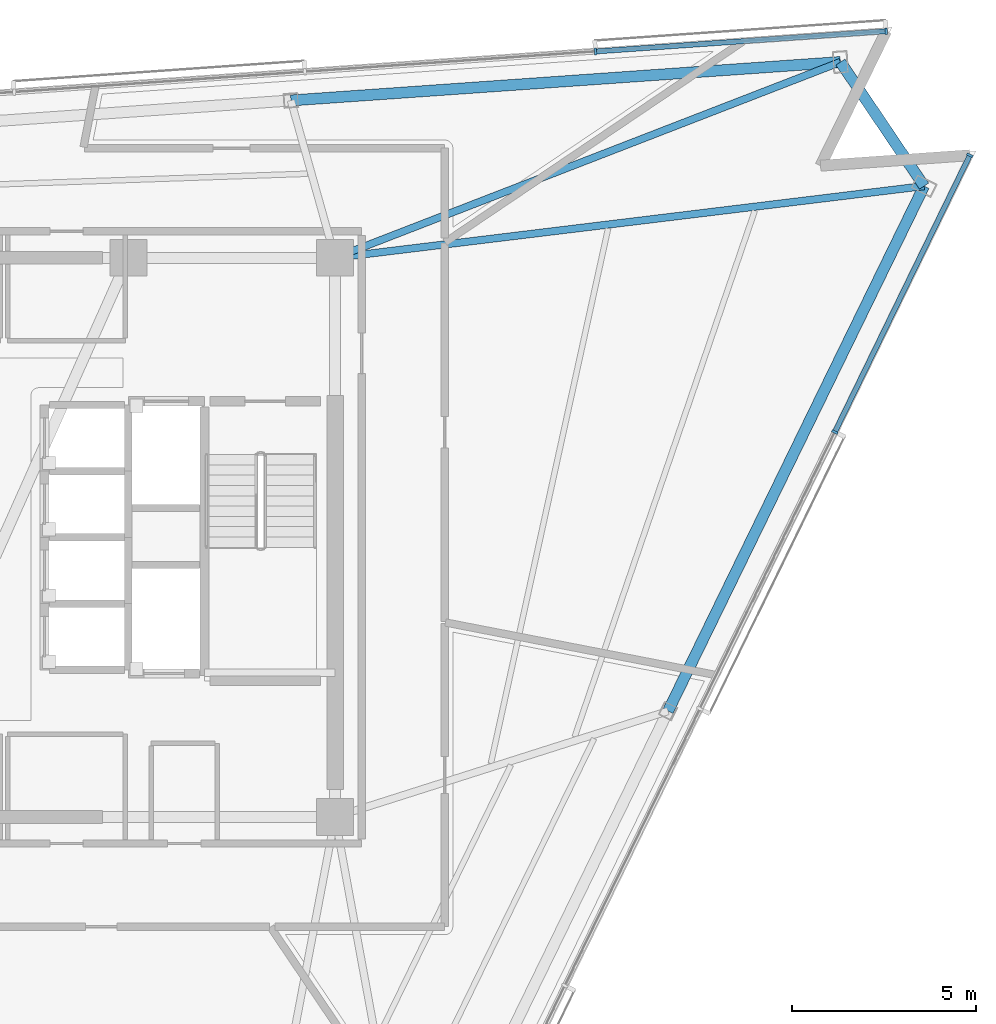
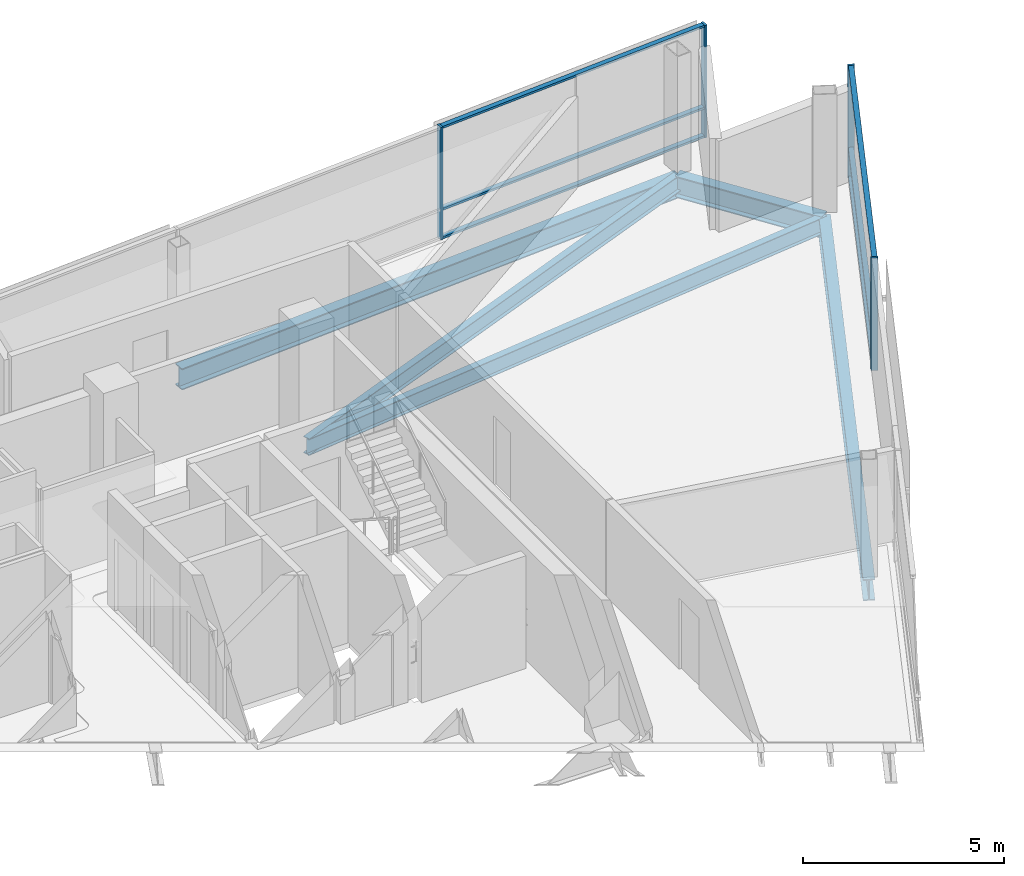
# One storey, part 7 of 16: 10 members, 5 beams, 2 elements without a shape of their own.
"""IFC4 building model written with IfcOpenShell, lengths in metres."""

import ifcopenshell
import ifcopenshell.guid

model = None  # the IFC model being written
_history = None  # IfcOwnerHistory: only IFC2X3 demands one
_inside = {}  # id of a spatial element -> (the spatial element, [elements in it])
_under = {}  # id of a project, library or spatial element -> (it, [spatial elements below it])
_declared = {}  # id of a project -> (the project, [libraries it declares])
_typed = {}  # id of a type object -> (the type object, [elements of that type])
_made_of = {}  # id of a material, layer set ... -> (it, [elements and type objects made of it])


def new_model(schema):
    """Start an empty IFC model of exactly this schema.

    Asked for "IFC4X3", IfcOpenShell would pick the latest addendum, in which some entities
    have other attributes; the version numbers below select the first issue.
    IFC2X3 requires an IfcOwnerHistory on every rooted entity: one is made here for all.
    """
    global model, _history
    if schema == "IFC4X3":
        model = ifcopenshell.file(schema_version=(4, 3, 0, 0))
    else:
        model = ifcopenshell.file(schema=schema)
    _inside.clear()
    _under.clear()
    _declared.clear()
    _typed.clear()
    _made_of.clear()
    _history = None
    if model.schema == "IFC2X3":
        org = make("IfcOrganization", Name="unknown")
        user = make(
            "IfcPersonAndOrganization",
            ThePerson=make("IfcPerson", FamilyName="unknown"),
            TheOrganization=org,
        )
        app = make(
            "IfcApplication",
            ApplicationDeveloper=org,
            Version="unknown",
            ApplicationFullName="unknown",
            ApplicationIdentifier="unknown",
        )
        _history = make(
            "IfcOwnerHistory",
            OwningUser=user,
            OwningApplication=app,
            ChangeAction="ADDED",
            CreationDate=0,
        )
    return model


def make(cls, **values):
    """One entity of the class cls with the attributes given. An attribute that is None is left unset."""
    return model.create_entity(
        cls, **{name: value for name, value in values.items() if value is not None}
    )


def rooted(cls, **values):
    """An entity with a GlobalId (a new one), such as an element, a storey or a relation."""
    return make(cls, GlobalId=ifcopenshell.guid.new(), OwnerHistory=_history, **values)


def si_unit(unit_type, name, prefix=None):
    """IfcSIUnit, for example si_unit("LENGTHUNIT", "METRE", prefix="MILLI")."""
    return make("IfcSIUnit", UnitType=unit_type, Prefix=prefix, Name=name)


def assignment(units):
    """IfcUnitAssignment: the units of a project."""
    return None if units is None else make("IfcUnitAssignment", Units=units)


def point(xyz):
    """IfcCartesianPoint."""
    return None if xyz is None else make("IfcCartesianPoint", Coordinates=xyz)


def direction(xyz):
    """IfcDirection."""
    return None if xyz is None else make("IfcDirection", DirectionRatios=xyz)


def frame(location, z_axis=None, x_axis=None):
    """IfcAxis2Placement3D, a coordinate frame: its origin and axes. An axis left out is left unset."""
    return make(
        "IfcAxis2Placement3D",
        Location=point(location),
        Axis=direction(z_axis),
        RefDirection=direction(x_axis),
    )


def frame_2d(location, x_axis=None):
    """IfcAxis2Placement2D, a coordinate frame in the plane: its origin and x axis."""
    return make(
        "IfcAxis2Placement2D", Location=point(location), RefDirection=direction(x_axis)
    )


def origin():
    """The frame at (0, 0, 0) with its axes left unset."""
    return frame((0.0, 0.0, 0.0))


def origin_2d():
    """The frame at (0, 0) in the plane with its x axis left unset."""
    return frame_2d((0.0, 0.0))


def place(relative_to, where):
    """IfcLocalPlacement: puts the frame where relative to a parent placement (None: the world)."""
    return make(
        "IfcLocalPlacement", PlacementRelTo=relative_to, RelativePlacement=where
    )


def context(
    kind, dimensions, precision=None, world=None, true_north=None, identifier=None
):
    """IfcGeometricRepresentationContext, for example the 3D "Model" context."""
    return make(
        "IfcGeometricRepresentationContext",
        ContextIdentifier=identifier,
        ContextType=kind,
        CoordinateSpaceDimension=dimensions,
        Precision=precision,
        WorldCoordinateSystem=world,
        TrueNorth=true_north,
    )


def subcontext(parent, identifier, kind, view, scale=None):
    """IfcGeometricRepresentationSubContext, for example "Body" below "Model"."""
    return make(
        "IfcGeometricRepresentationSubContext",
        ContextIdentifier=identifier,
        ContextType=kind,
        ParentContext=parent,
        TargetScale=scale,
        TargetView=view,
    )


def project(units=None, contexts=None):
    """IfcProject with its units and contexts."""
    return rooted(
        "IfcProject",
        Name="project",
        RepresentationContexts=contexts,
        UnitsInContext=assignment(units),
    )


def spatial(cls, under=None, at=None, **own):
    """A site, building, storey or space (cls), placed at a placement, below another one or the project."""
    s = rooted(cls, ObjectPlacement=at, **own)
    if under is not None:
        _under.setdefault(under.id(), (under, []))[1].append(s)
    return s


def profile(cls, at=None, kind="AREA", **sizes):
    """A parametric profile (cls). Its sizes go by their IFC names, for example OverallWidth=200.0."""
    return make(cls, ProfileType=kind, Position=at, **sizes)


def rectangle(**sizes):
    """IfcRectangleProfileDef."""
    return profile("IfcRectangleProfileDef", **sizes)


def i_section(**sizes):
    """IfcIShapeProfileDef."""
    return profile("IfcIShapeProfileDef", **sizes)


def extrude(swept, where, along, depth):
    """IfcExtrudedAreaSolid: the profile swept, set in the frame where, extruded along a direction by depth."""
    return make(
        "IfcExtrudedAreaSolid",
        SweptArea=swept,
        Position=where,
        ExtrudedDirection=direction(along),
        Depth=depth,
    )


def shape(context_of_items, identifier, shape_type, items):
    """IfcShapeRepresentation: the items that make up one representation, for example the "Body"."""
    return make(
        "IfcShapeRepresentation",
        ContextOfItems=context_of_items,
        RepresentationIdentifier=identifier,
        RepresentationType=shape_type,
        Items=items,
    )


def material(Name=None, Category=None):
    """IfcMaterial."""
    return make("IfcMaterial", Name=Name, Category=Category)


def layer(
    of_material, thickness, ventilated=None, Name=None, Category=None, Priority=None
):
    """IfcMaterialLayer: one layer of a wall or slab, of a material (None: an air gap)."""
    return make(
        "IfcMaterialLayer",
        Material=of_material,
        LayerThickness=thickness,
        IsVentilated=ventilated,
        Name=Name,
        Category=Category,
        Priority=Priority,
    )


def layer_set(layers, Name=None):
    """IfcMaterialLayerSet."""
    return make("IfcMaterialLayerSet", MaterialLayers=layers, LayerSetName=Name)


def material_profile(
    of_material, cross_section, Name=None, Category=None, Priority=None
):
    """IfcMaterialProfile: a cross section and its material."""
    return make(
        "IfcMaterialProfile",
        Name=Name,
        Material=of_material,
        Profile=cross_section,
        Priority=Priority,
        Category=Category,
    )


def profile_set(profiles, Name=None, composite=None):
    """IfcMaterialProfileSet."""
    return make(
        "IfcMaterialProfileSet",
        Name=Name,
        MaterialProfiles=profiles,
        CompositeProfile=composite,
    )


def made_of(thing, what):
    """Note that an element or type object is made of a material, layer set ...; save() writes the relation."""
    if what is not None:
        _made_of.setdefault(what.id(), (what, []))[1].append(thing)
    return thing


def type_object(cls, material=None, **own):
    """A type object (cls), such as IfcWallType, which elements share."""
    return made_of(rooted(cls, **own), material)


def element(
    cls,
    number,
    at=None,
    inside=None,
    cuts=None,
    type_object=None,
    material=None,
    context=None,
    identifier="Body",
    shape_type=None,
    held_by="IfcProductDefinitionShape",
    body=None,
    shapes=None,
    **own,
):
    """One element of the class cls, such as IfcWall. Its Tag is "e" and its number.

    at: its placement. inside: the storey or other place that contains it. cuts: it is an
    opening in that element (IfcRelVoidsElement). A single representation is given by context,
    identifier, shape_type and body (its items); several are given by shapes. held_by: the class
    of the entity that holds the representations. save() writes the other relations.
    """
    e = rooted(cls, Tag="e%d" % number, ObjectPlacement=at, **own)
    if body is not None:
        shapes = [shape(context, identifier, shape_type, body)]
    if shapes is not None:
        e.Representation = make(held_by, Representations=shapes)
    if inside is not None:
        _inside.setdefault(inside.id(), (inside, []))[1].append(e)
    if cuts is not None:
        rooted(
            "IfcRelVoidsElement", RelatingBuildingElement=cuts, RelatedOpeningElement=e
        )
    if type_object is not None:
        _typed.setdefault(type_object.id(), (type_object, []))[1].append(e)
    return made_of(e, material)


def aggregate(whole, parts):
    """IfcRelAggregates: a whole, such as a stair, and the parts it consists of."""
    return rooted("IfcRelAggregates", RelatingObject=whole, RelatedObjects=parts)


def save(model, path):
    """Write the relations noted so far, then the file.

    IfcRelAggregates (storeys below a building ...), IfcRelContainedInSpatialStructure (elements
    in a storey), IfcRelDefinesByType, IfcRelAssociatesMaterial and IfcRelDeclares: one each for
    every whole, place, type object, material and project.
    """
    for whole, parts in _under.values():
        aggregate(whole, parts)
    for where, things in _inside.values():
        rooted(
            "IfcRelContainedInSpatialStructure",
            RelatedElements=things,
            RelatingStructure=where,
        )
    for kind, things in _typed.values():
        rooted("IfcRelDefinesByType", RelatedObjects=things, RelatingType=kind)
    for what, things in _made_of.values():
        rooted("IfcRelAssociatesMaterial", RelatedObjects=things, RelatingMaterial=what)
    for by, libraries in _declared.values():
        rooted("IfcRelDeclares", RelatingContext=by, RelatedDefinitions=libraries)
    model.write(path)


model = new_model("IFC4")

# Units and contexts
model_context = context("Model", 3, precision=1e-05, world=origin(), true_north=direction((0.0, 1.0)))
body_context = subcontext(model_context, "Body", "Model", "MODEL_VIEW")
ifc_project = project(units=[si_unit("LENGTHUNIT", "METRE"), si_unit("AREAUNIT", "SQUARE_METRE"), si_unit("VOLUMEUNIT", "CUBIC_METRE"), si_unit("PLANEANGLEUNIT", "RADIAN"), si_unit("MASSUNIT", "GRAM", prefix="KILO")], contexts=[model_context])

# Site, building, storey
site_placement = place(None, origin())
site = spatial("IfcSite", under=ifc_project, at=site_placement, CompositionType="ELEMENT")
building_placement = place(site_placement, origin())
building = spatial("IfcBuilding", under=site, at=building_placement, Name="Tharavind Bronze Gate", CompositionType="ELEMENT")
storey_placement = place(building_placement, frame((0.0, 0.0, 264.199951171875)))
storey = spatial("IfcBuildingStorey", under=building, at=storey_placement, Name="L68", CompositionType="ELEMENT", Elevation=264.199951171875)

# Curtain wall, members
ifc_material_1 = material(Name="Anodised Bronze Aluminium", Category="aluminium")
ifc_layer = layer(ifc_material_1, 0.219970703125)
ifc_layer_set = layer_set([ifc_layer], Name="Anodised Bronze Aluminium")
curtain_wall_type = type_object("IfcCurtainWallType", Name="UNITISED CURTAIN WALL UPPER OFFICE", PredefinedType="USERDEFINED", material=ifc_layer_set)
curtain_wall_1_placement = place(storey_placement, origin())
curtain_wall_1 = element("IfcCurtainWall", 1, at=curtain_wall_1_placement, inside=storey, type_object=curtain_wall_type, Name="L68 unitised curtain wall upper office CW-L68-S2", ObjectType="UNITISED CURTAIN WALL", PredefinedType="USERDEFINED")
member_type_1 = type_object("IfcMemberType", Name="CURTAIN WALL BRONZE MULLION 65X180", PredefinedType="MULLION", material=ifc_material_1)
member_1_placement = place(storey_placement, frame((22.485107421875, 2.863525390625, 0.0), z_axis=(0.0, 0.0, 1.0), x_axis=(0.43837271548, 0.898793281196, 0.0)))
member_1 = element("IfcMember", 2, at=member_1_placement, type_object=member_type_1, Name="CW-L68-S2 mullion 6", PredefinedType="MULLION", context=body_context, shape_type="SweptSolid", body=[
    extrude(rectangle(XDim=0.06494140625, YDim=0.179931640625, at=origin_2d()), origin(), (0.0, 0.0, 1.0), 3.419921875),
])
member_2_placement = place(storey_placement, frame((26.1552734375, 10.388427734375, 0.0), z_axis=(0.0, 0.0, 1.0), x_axis=(0.43837271548, 0.898793281196, 0.0)))
member_2 = element("IfcMember", 3, at=member_2_placement, type_object=member_type_1, Name="CW-L68-S2 mullion 7", PredefinedType="MULLION", context=body_context, shape_type="SweptSolid", body=[
    extrude(rectangle(XDim=0.06494140625, YDim=0.179931640625, at=origin_2d()), origin(), (0.0, 0.0, 1.0), 3.419921875),
])

curtain_wall_2_placement = place(storey_placement, origin())
curtain_wall_2 = element("IfcCurtainWall", 4, at=curtain_wall_2_placement, inside=storey, type_object=curtain_wall_type, Name="L68 unitised curtain wall upper office CW-L68-S3", ObjectType="UNITISED CURTAIN WALL", PredefinedType="USERDEFINED")
member_3_placement = place(storey_placement, frame((23.880615234375, 13.760986328125, 0.0), z_axis=(0.0, 0.0, 1.0), x_axis=(-0.997563806758, -0.069759955899, 0.0)))
member_3 = element("IfcMember", 5, at=member_3_placement, type_object=member_type_1, Name="CW-L68-S3 mullion 1", PredefinedType="MULLION", context=body_context, shape_type="SweptSolid", body=[
    extrude(rectangle(XDim=0.06494140625, YDim=0.179931640625, at=origin_2d()), origin(), (0.0, 0.0, 1.0), 3.419921875),
])
member_4_placement = place(storey_placement, frame((15.9794921875, 13.20849609375, 0.0), z_axis=(0.0, 0.0, 1.0), x_axis=(-0.997563806758, -0.069759955899, 0.0)))
member_4 = element("IfcMember", 6, at=member_4_placement, type_object=member_type_1, Name="CW-L68-S3 mullion 2", PredefinedType="MULLION", context=body_context, shape_type="SweptSolid", body=[
    extrude(rectangle(XDim=0.06494140625, YDim=0.179931640625, at=origin_2d()), origin(), (0.0, 0.0, 1.0), 3.419921875),
])

# Member
member_type_2 = type_object("IfcMemberType", Name="CURTAIN WALL BRONZE TRANSOM 65X140", PredefinedType="USERDEFINED", material=ifc_material_1)
member_5_placement = place(storey_placement, frame((24.3203125, 6.6259765625, 0.0), z_axis=(0.0, 0.0, 1.0), x_axis=(0.43837271548, 0.898793281196, 0.0)))
member_5 = element("IfcMember", 7, at=member_5_placement, type_object=member_type_2, Name="CW-L68-S2 transom TB6", ObjectType="TRANSOM", PredefinedType="USERDEFINED", context=body_context, shape_type="SweptSolid", body=[
    extrude(rectangle(XDim=8.3193359375, YDim=0.139892578125, at=origin_2d()), origin(), (0.0, 0.0, 1.0), 0.06494140625),
])

member_6_placement = place(storey_placement, frame((24.3203125, 6.6259765625, 0.86767578125), z_axis=(0.0, 0.0, 1.0), x_axis=(0.43837271548, 0.898793281196, 0.0)))
member_6 = element("IfcMember", 8, at=member_6_placement, type_object=member_type_2, Name="CW-L68-S2 transom TS6", ObjectType="TRANSOM", PredefinedType="USERDEFINED", context=body_context, shape_type="SweptSolid", body=[
    extrude(rectangle(XDim=8.3193359375, YDim=0.139892578125, at=origin_2d()), origin(), (0.0, 0.0, 1.0), 0.06494140625),
])

member_7_placement = place(storey_placement, frame((24.3203125, 6.6259765625, 3.35498046875), z_axis=(0.0, 0.0, 1.0), x_axis=(0.43837271548, 0.898793281196, 0.0)))
member_7 = element("IfcMember", 9, at=member_7_placement, type_object=member_type_2, Name="CW-L68-S2 transom TT6", ObjectType="TRANSOM", PredefinedType="USERDEFINED", context=body_context, shape_type="SweptSolid", body=[
    extrude(rectangle(XDim=8.3193359375, YDim=0.139892578125, at=origin_2d()), origin(), (0.0, 0.0, 1.0), 0.06494140625),
])

aggregate(curtain_wall_1, [member_1, member_2, member_5, member_6, member_7])

member_8_placement = place(storey_placement, frame((19.929931640625, 13.48486328125, 0.0), z_axis=(0.0, 0.0, 1.0), x_axis=(-0.997563806758, -0.069759955899, 0.0)))
member_8 = element("IfcMember", 10, at=member_8_placement, type_object=member_type_2, Name="CW-L68-S3 transom TB1", ObjectType="TRANSOM", PredefinedType="USERDEFINED", context=body_context, shape_type="SweptSolid", body=[
    extrude(rectangle(XDim=7.8671875, YDim=0.139892578125, at=origin_2d()), origin(), (0.0, 0.0, 1.0), 0.06494140625),
])

member_9_placement = place(storey_placement, frame((19.929931640625, 13.48486328125, 0.86767578125), z_axis=(0.0, 0.0, 1.0), x_axis=(-0.997563806758, -0.069759955899, 0.0)))
member_9 = element("IfcMember", 11, at=member_9_placement, type_object=member_type_2, Name="CW-L68-S3 transom TS1", ObjectType="TRANSOM", PredefinedType="USERDEFINED", context=body_context, shape_type="SweptSolid", body=[
    extrude(rectangle(XDim=7.8671875, YDim=0.139892578125, at=origin_2d()), origin(), (0.0, 0.0, 1.0), 0.06494140625),
])

member_10_placement = place(storey_placement, frame((19.929931640625, 13.48486328125, 3.35498046875), z_axis=(0.0, 0.0, 1.0), x_axis=(-0.997563806758, -0.069759955899, 0.0)))
member_10 = element("IfcMember", 12, at=member_10_placement, type_object=member_type_2, Name="CW-L68-S3 transom TT1", ObjectType="TRANSOM", PredefinedType="USERDEFINED", context=body_context, shape_type="SweptSolid", body=[
    extrude(rectangle(XDim=7.8671875, YDim=0.139892578125, at=origin_2d()), origin(), (0.0, 0.0, 1.0), 0.06494140625),
])

aggregate(curtain_wall_2, [member_3, member_4, member_8, member_9, member_10])

# Beams
ifc_material_2 = material(Name="Steel S355", Category="steel")
ifc_material_profile_1 = material_profile(ifc_material_2, i_section(OverallWidth=0.300048828125, OverallDepth=0.64990234375, WebThickness=0.01611328125, FlangeThickness=0.031005859375, at=origin_2d()), Name="HE650B")
ifc_profile_set_1 = profile_set([ifc_material_profile_1], Name="Steel S355")
beam_type_1 = type_object("IfcBeamType", Name="PRIMARY GIRDER HE650B", PredefinedType="USERDEFINED", material=ifc_profile_set_1)
beam_1_placement = place(storey_placement, frame((17.950927734375, -4.721923828125, -0.5048828125), z_axis=(0.438366378116, 0.898796372121, 0.0), x_axis=(-0.898796372121, 0.438366378116, 0.0)))
element("IfcBeam", 13, at=beam_1_placement, inside=storey, type_object=beam_type_1, Name="L68 primary girder he650b BM-L68-PRG07", ObjectType="GIRDER", PredefinedType="USERDEFINED", context=body_context, shape_type="SweptSolid", body=[
    extrude(i_section(OverallWidth=0.300048828125, OverallDepth=0.64990234375, WebThickness=0.01611328125, FlangeThickness=0.031005859375, at=origin_2d()), origin(), (0.0, 0.0, 1.0), 15.878662109375),
])
beam_2_placement = place(storey_placement, frame((24.91162109375, 9.5498046875, -0.5048828125), z_axis=(-0.559165651986, 0.829055953262, 0.0), x_axis=(-0.829055953262, -0.559165651986, 0.0)))
element("IfcBeam", 14, at=beam_2_placement, inside=storey, type_object=beam_type_1, Name="L68 primary girder he650b BM-L68-PRG08", ObjectType="GIRDER", PredefinedType="USERDEFINED", context=body_context, shape_type="SweptSolid", body=[
    extrude(i_section(OverallWidth=0.300048828125, OverallDepth=0.64990234375, WebThickness=0.01611328125, FlangeThickness=0.031005859375, at=origin_2d()), origin(), (0.0, 0.0, 1.0), 4.06787109375),
])
beam_3_placement = place(storey_placement, frame((22.636962890625, 12.92236328125, -0.5048828125), z_axis=(-0.997563609873, -0.069762771286, 0.0), x_axis=(0.069762771286, -0.997563609873, 0.0)))
element("IfcBeam", 15, at=beam_3_placement, inside=storey, type_object=beam_type_1, Name="L68 primary girder he650b BM-L68-PRG09", ObjectType="GIRDER", PredefinedType="USERDEFINED", context=body_context, shape_type="SweptSolid", body=[
    extrude(i_section(OverallWidth=0.300048828125, OverallDepth=0.64990234375, WebThickness=0.01611328125, FlangeThickness=0.031005859375, at=origin_2d()), origin(), (0.0, 0.0, 1.0), 14.974609375),
])
ifc_material_profile_2 = material_profile(ifc_material_2, i_section(OverallWidth=0.199951171875, OverallDepth=0.5, WebThickness=0.01025390625, FlangeThickness=0.01611328125, at=origin_2d()), Name="IPE500")
ifc_profile_set_2 = profile_set([ifc_material_profile_2], Name="Steel S355")
beam_type_2 = type_object("IfcBeamType", Name="PRIMARY GIRDER IPE500", PredefinedType="USERDEFINED", material=ifc_profile_set_2)
beam_4_placement = place(storey_placement, frame((24.91162109375, 9.5498046875, -0.429931640625), z_axis=(-0.992667775401, -0.120874677579, 0.0), x_axis=(0.120874677579, -0.992667775401, 0.0)))
element("IfcBeam", 16, at=beam_4_placement, inside=storey, type_object=beam_type_2, Name="L68 primary girder ipe500 BM-L68-RAD08", ObjectType="GIRDER", PredefinedType="USERDEFINED", context=body_context, shape_type="SweptSolid", body=[
    extrude(i_section(OverallWidth=0.199951171875, OverallDepth=0.5, WebThickness=0.01025390625, FlangeThickness=0.01611328125, at=origin_2d()), origin(), (0.0, 0.0, 1.0), 16.1298828125),
])
beam_5_placement = place(storey_placement, frame((22.636962890625, 12.92236328125, -0.429931640625), z_axis=(-0.932460796057, -0.361271177672, 0.0), x_axis=(0.361271177672, -0.932460796057, 0.0)))
element("IfcBeam", 17, at=beam_5_placement, inside=storey, type_object=beam_type_2, Name="L68 primary girder ipe500 BM-L68-RAD09", ObjectType="GIRDER", PredefinedType="USERDEFINED", context=body_context, shape_type="SweptSolid", body=[
    extrude(i_section(OverallWidth=0.199951171875, OverallDepth=0.5, WebThickness=0.01025390625, FlangeThickness=0.01611328125, at=origin_2d()), origin(), (0.0, 0.0, 1.0), 14.73193359375),
])

save(model, "model.ifc")
